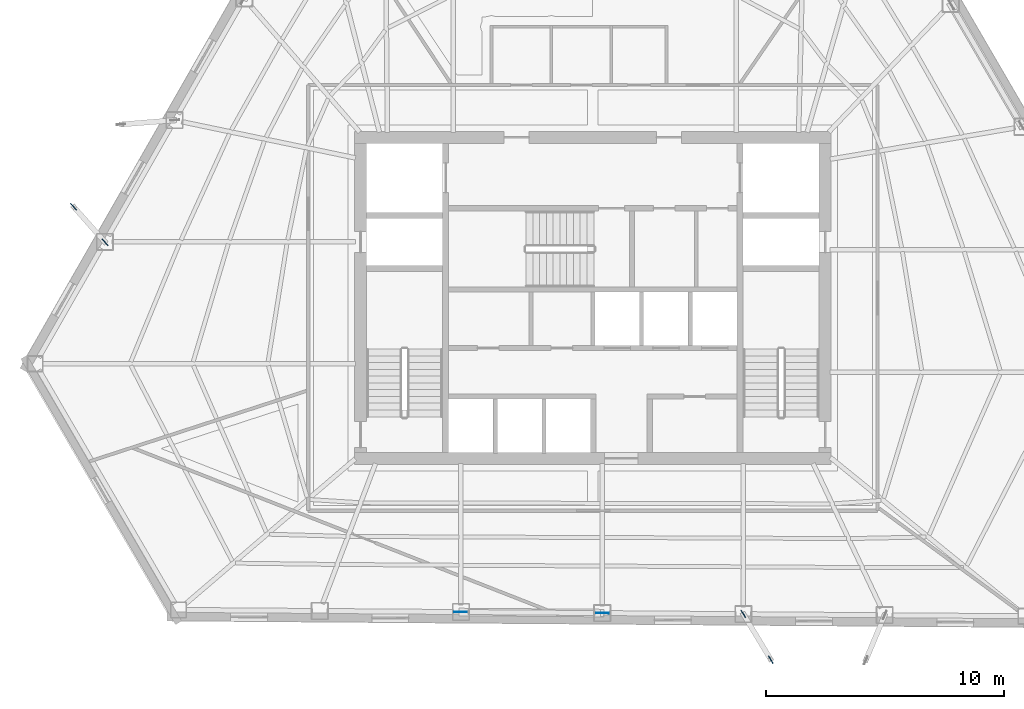
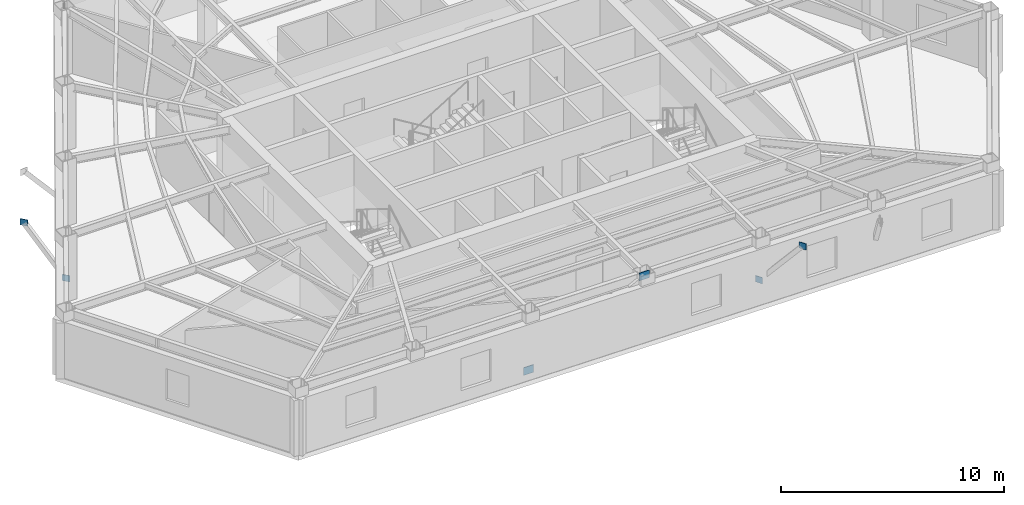
# One storey, part 5 of 13: 6 plates.
"""IFC4 building model written with IfcOpenShell, lengths in metres."""

from ifc_helpers import new_model, si_unit, direction, frame, origin, origin_2d, place, context, subcontext, project, spatial, rectangle, extrude, material, layer, layer_set, type_object, element, save


model = new_model("IFC4")

# Units and contexts
model_context = context("Model", 3, precision=1e-05, world=origin(), true_north=direction((0.0, 1.0)))
body_context = subcontext(model_context, "Body", "Model", "MODEL_VIEW")
ifc_project = project(units=[si_unit("LENGTHUNIT", "METRE"), si_unit("AREAUNIT", "SQUARE_METRE"), si_unit("VOLUMEUNIT", "CUBIC_METRE"), si_unit("PLANEANGLEUNIT", "RADIAN"), si_unit("MASSUNIT", "GRAM", prefix="KILO")], contexts=[model_context])

# Site, building, storey
site_placement = place(None, origin())
site = spatial("IfcSite", under=ifc_project, at=site_placement, CompositionType="ELEMENT")
building_placement = place(site_placement, origin())
building = spatial("IfcBuilding", under=site, at=building_placement, Name="Kavelnor Concourse Tower", CompositionType="ELEMENT")
storey_placement = place(building_placement, frame((0.0, 0.0, 116.300048828125)))
storey = spatial("IfcBuildingStorey", under=building, at=storey_placement, Name="L29", CompositionType="ELEMENT", Elevation=116.300048828125)

# Plates
ifc_material = material(Name="Steel Grade 350", Category="steel")
ifc_layer_1 = layer(ifc_material, 0.028076171875, Name="Steel Grade 350")
ifc_layer_set_1 = layer_set([ifc_layer_1], Name="Steel Grade 350")
plate_type_1 = type_object("IfcPlateType", Name="PL-GUSSET-FOLD", PredefinedType="USERDEFINED", material=ifc_layer_set_1)
for number, where, z_axis, x_axis, name in (
    (1, (17.489013671875, 18.442626953125, 0.8798828125), (0.0, 0.0, 1.0), (-0.66327338299, 0.748377190605, 0.0), "L29 Balcony Strut Gusset GP4 1-B End Gusset A"),
    (2, (16.16650390625, 19.935302734375, 3.48486328125), (0.0, 0.0, 1.0), (-0.66327338299, 0.748377190605, 0.0), "L29 Balcony Strut Gusset GP4 1-B End Gusset B"),
    (3, (44.32666015625, 2.812255859375, 0.8798828125), (0.0, 0.0, 1.0), (0.51488846315, -0.857257178748, 0.0), "L29 Balcony Strut Gusset GP4 2-A End Gusset A"),
    (4, (45.4853515625, 0.8828125, 3.48486328125), (0.0, 0.0, 1.0), (0.51488846315, -0.857257178748, 0.0), "L29 Balcony Strut Gusset GP4 2-A End Gusset B"),
):
    element("IfcPlate", number, at=place(storey_placement, frame(where, z_axis=z_axis, x_axis=x_axis)), inside=storey, type_object=plate_type_1, Name=name, ObjectType="GUSSET_PLATE", PredefinedType="USERDEFINED", context=body_context, shape_type="SweptSolid", body=[
        extrude(rectangle(XDim=0.360107421875, YDim=0.028076171875, at=origin_2d()), origin(), (0.0, 0.0, 1.0), 0.340087890625),
    ])
ifc_layer_2 = layer(ifc_material, 0.031982421875, Name="Steel Grade 350")
ifc_layer_set_2 = layer_set([ifc_layer_2], Name="Steel Grade 350")
plate_type_2 = type_object("IfcPlateType", Name="PL-GUSSET-TUBE-Z1", PredefinedType="USERDEFINED", material=ifc_layer_set_2)
for number, where, z_axis, x_axis, name in (
    (5, (32.444091796875, 2.890625, 0.010009765625), (0.0, 0.0, 1.0), (0.999971838252, -0.007504845333, 0.0), "L29 Tube Brace Gusset GP3 F1-B2 End Gusset A"),
    (6, (38.406494140625, 2.84619140625, 3.12353515625), (0.0, 0.0, 1.0), (0.999971838252, -0.007504845333, 0.0), "L29 Tube Brace Gusset GP3 F1-B2 End Gusset B"),
):
    element("IfcPlate", number, at=place(storey_placement, frame(where, z_axis=z_axis, x_axis=x_axis)), inside=storey, type_object=plate_type_2, Name=name, ObjectType="GUSSET_PLATE", PredefinedType="USERDEFINED", context=body_context, shape_type="SweptSolid", body=[
        extrude(rectangle(XDim=0.52001953125, YDim=0.031982421875, at=origin_2d()), origin(), (0.0, 0.0, 1.0), 0.419921875),
    ])

save(model, "model.ifc")
